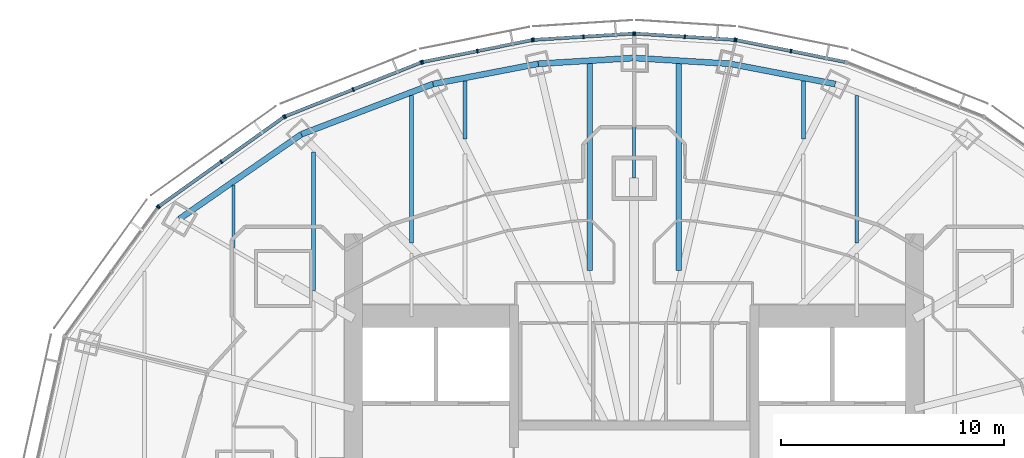
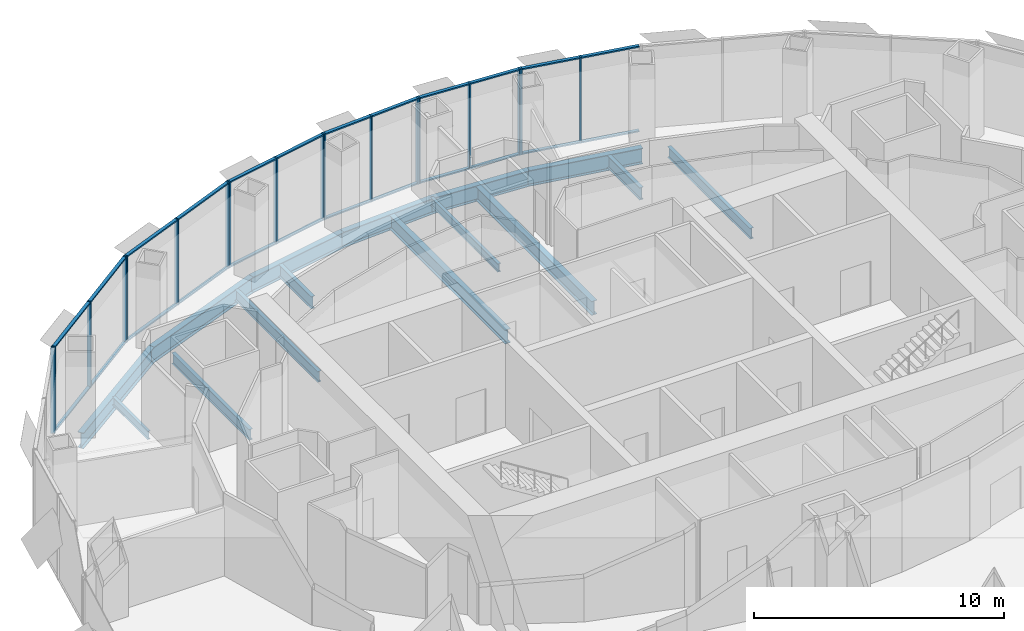
# One storey, part 8 of 18: 42 members, 15 beams, 7 elements without a shape of their own.
"""IFC4 building model written with IfcOpenShell, lengths in metres."""

from ifc_helpers import new_model, si_unit, direction, frame, origin, origin_2d, place, context, subcontext, project, spatial, rectangle, i_section, extrude, material, material_profile, profile_set, type_object, element, aggregate, save


model = new_model("IFC4")

# Units and contexts
model_context = context("Model", 3, precision=1e-05, world=origin(), true_north=direction((0.0, 1.0)))
body_context = subcontext(model_context, "Body", "Model", "MODEL_VIEW")
ifc_project = project(units=[si_unit("LENGTHUNIT", "METRE"), si_unit("AREAUNIT", "SQUARE_METRE"), si_unit("VOLUMEUNIT", "CUBIC_METRE"), si_unit("PLANEANGLEUNIT", "RADIAN"), si_unit("MASSUNIT", "GRAM", prefix="KILO")], contexts=[model_context])

# Site, building, storey
site_placement = place(None, origin())
site = spatial("IfcSite", under=ifc_project, at=site_placement, CompositionType="ELEMENT")
building_placement = place(site_placement, origin())
building = spatial("IfcBuilding", under=site, at=building_placement, Name="Lantaw Convention Tower", CompositionType="ELEMENT")
storey_placement = place(building_placement, frame((0.0, 0.0, 257.800048828125)))
storey = spatial("IfcBuildingStorey", under=building, at=storey_placement, Name="L60", CompositionType="ELEMENT", Elevation=257.800048828125)

# Beams
ifc_material_1 = material(Name="Steel ASTM A992", Category="steel")
ifc_material_profile_1 = material_profile(ifc_material_1, i_section(OverallWidth=0.2666015625, OverallDepth=0.76953125, WebThickness=0.015625, FlangeThickness=0.025390625, FilletRadius=0.0126953125, at=origin_2d()), Name="W30X132")
ifc_profile_set_1 = profile_set([ifc_material_profile_1], Name="Steel ASTM A992")
beam_type_1 = type_object("IfcBeamType", Name="Beam E W30X132", PredefinedType="SPANDREL", material=ifc_profile_set_1)
beam_1_placement = place(storey_placement, frame((9.03466796875, 17.7314453125, -0.534912109375), z_axis=(-0.981972091702, 0.189025953556, 0.0), x_axis=(-0.189025953556, -0.981972091702, 0.0)))
element("IfcBeam", 1, at=beam_1_placement, inside=storey, type_object=beam_type_1, Name="Edge beam 5", PredefinedType="SPANDREL", context=body_context, shape_type="SweptSolid", body=[
    extrude(i_section(OverallWidth=0.2666015625, OverallDepth=0.76953125, WebThickness=0.015625, FlangeThickness=0.025390625, FilletRadius=0.0126953125, at=origin_2d()), origin(), (0.0, 0.0, 1.0), 4.817626953125),
])
for number, where, z_axis, x_axis, name in (
    (2, (4.303955078125, 18.64208984375, -0.534912109375), (-0.998210730897, 0.059794119452, 0.0), (-0.059794119452, -0.998210730897, 0.0), "Edge beam 6"),
    (3, (0.0, 18.89990234375, -0.534912109375), (-0.998210730897, -0.059794119452, 0.0), (0.059794119452, -0.998210730897, 0.0), "Edge beam 7"),
):
    element("IfcBeam", number, at=place(storey_placement, frame(where, z_axis=z_axis, x_axis=x_axis)), inside=storey, type_object=beam_type_1, Name=name, PredefinedType="SPANDREL", context=body_context, shape_type="SweptSolid", body=[
        extrude(i_section(OverallWidth=0.2666015625, OverallDepth=0.76953125, WebThickness=0.015625, FlangeThickness=0.025390625, FilletRadius=0.0126953125, at=origin_2d()), origin(), (0.0, 0.0, 1.0), 4.311767578125),
    ])
beam_2_placement = place(storey_placement, frame((-4.303955078125, 18.64208984375, -0.534912109375), z_axis=(-0.981972091702, -0.189025953556, 0.0), x_axis=(0.189025953556, -0.981972091702, 0.0)))
element("IfcBeam", 4, at=beam_2_placement, inside=storey, type_object=beam_type_1, Name="Edge beam 8", PredefinedType="SPANDREL", context=body_context, shape_type="SweptSolid", body=[
    extrude(i_section(OverallWidth=0.2666015625, OverallDepth=0.76953125, WebThickness=0.015625, FlangeThickness=0.025390625, FilletRadius=0.0126953125, at=origin_2d()), origin(), (0.0, 0.0, 1.0), 4.817626953125),
])
beam_3_placement = place(storey_placement, frame((-9.03466796875, 17.7314453125, -0.534912109375), z_axis=(-0.934234988, -0.356658081637, 0.0), x_axis=(0.356658081637, -0.934234988, 0.0)))
element("IfcBeam", 5, at=beam_3_placement, inside=storey, type_object=beam_type_1, Name="Edge beam 9", PredefinedType="SPANDREL", context=body_context, shape_type="SweptSolid", body=[
    extrude(i_section(OverallWidth=0.2666015625, OverallDepth=0.76953125, WebThickness=0.015625, FlangeThickness=0.025390625, FilletRadius=0.0126953125, at=origin_2d()), origin(), (0.0, 0.0, 1.0), 6.32568359375),
])
beam_4_placement = place(storey_placement, frame((-14.9443359375, 15.475341796875, -0.534912109375), z_axis=(-0.82135329406, -0.570419815869, 0.0), x_axis=(0.570419815869, -0.82135329406, 0.0)))
element("IfcBeam", 6, at=beam_4_placement, inside=storey, type_object=beam_type_1, Name="Edge beam 10", PredefinedType="SPANDREL", context=body_context, shape_type="SweptSolid", body=[
    extrude(i_section(OverallWidth=0.2666015625, OverallDepth=0.76953125, WebThickness=0.015625, FlangeThickness=0.025390625, FilletRadius=0.0126953125, at=origin_2d()), origin(), (0.0, 0.0, 1.0), 6.67041015625),
])
ifc_material_profile_2 = material_profile(ifc_material_1, i_section(OverallWidth=0.140380859375, OverallDepth=0.40380859375, WebThickness=0.007080078125, FlangeThickness=0.01123046875, FilletRadius=0.01025390625, at=origin_2d()), Name="W16X31")
ifc_profile_set_2 = profile_set([ifc_material_profile_2], Name="Steel ASTM A992")
beam_type_2 = type_object("IfcBeamType", Name="Beam G W16X31", PredefinedType="BEAM", material=ifc_profile_set_2)
beam_5_placement = place(storey_placement, frame((0.0, 13.5, -0.35205078125), z_axis=(0.0, 1.0, 0.0), x_axis=(-1.0, 0.0, 0.0)))
element("IfcBeam", 7, at=beam_5_placement, inside=storey, type_object=beam_type_2, Name="Floor girder on ray 7", PredefinedType="BEAM", context=body_context, shape_type="SweptSolid", body=[
    extrude(i_section(OverallWidth=0.140380859375, OverallDepth=0.40380859375, WebThickness=0.007080078125, FlangeThickness=0.01123046875, FilletRadius=0.01025390625, at=origin_2d()), origin(), (0.0, 0.0, 1.0), 5.39990234375),
])
ifc_material_profile_3 = material_profile(ifc_material_1, i_section(OverallWidth=0.140380859375, OverallDepth=0.40380859375, WebThickness=0.007080078125, FlangeThickness=0.01123046875, FilletRadius=0.01025390625, at=origin_2d()), Name="W16X31")
ifc_profile_set_3 = profile_set([ifc_material_profile_3], Name="Steel ASTM A992")
beam_type_3 = type_object("IfcBeamType", Name="Beam J W16X31", PredefinedType="JOIST", material=ifc_profile_set_3)
beam_6_placement = place(storey_placement, frame((-18.0, 10.380859375, -0.35205078125), z_axis=(0.0, 1.0, 0.0), x_axis=(-1.0, 0.0, 0.0)))
element("IfcBeam", 8, at=beam_6_placement, inside=storey, type_object=beam_type_3, Name="Floor joist", PredefinedType="JOIST", context=body_context, shape_type="SweptSolid", body=[
    extrude(i_section(OverallWidth=0.140380859375, OverallDepth=0.40380859375, WebThickness=0.007080078125, FlangeThickness=0.01123046875, FilletRadius=0.01025390625, at=origin_2d()), origin(), (0.0, 0.0, 1.0), 2.81005859375),
])
ifc_material_profile_4 = material_profile(ifc_material_1, i_section(OverallWidth=0.1650390625, OverallDepth=0.52587890625, WebThickness=0.0087890625, FlangeThickness=0.011474609375, FilletRadius=0.0126953125, at=origin_2d()), Name="W21X44")
ifc_profile_set_4 = profile_set([ifc_material_profile_4], Name="Steel ASTM A992")
beam_type_4 = type_object("IfcBeamType", Name="Beam J W21X44", PredefinedType="JOIST", material=ifc_profile_set_4)
beam_7_placement = place(storey_placement, frame((-14.39990234375, 8.461181640625, -0.412841796875), z_axis=(0.0, 1.0, 0.0), x_axis=(-1.0, 0.0, 0.0)))
element("IfcBeam", 9, at=beam_7_placement, inside=storey, type_object=beam_type_4, Name="Floor joist", PredefinedType="JOIST", context=body_context, shape_type="SweptSolid", body=[
    extrude(i_section(OverallWidth=0.1650390625, OverallDepth=0.52587890625, WebThickness=0.0087890625, FlangeThickness=0.011474609375, FilletRadius=0.0126953125, at=origin_2d()), origin(), (0.0, 0.0, 1.0), 6.214599609375),
])
for number, where, z_axis, x_axis, name in (
    (10, (-10.0, 10.591064453125, -0.412841796875), (0.0, 1.0, 0.0), (-1.0, 0.0, 0.0), "Floor joist"),
    (11, (10.0, 10.591064453125, -0.412841796875), (0.0, 1.0, 0.0), (-1.0, 0.0, 0.0), "Floor joist"),
):
    element("IfcBeam", number, at=place(storey_placement, frame(where, z_axis=z_axis, x_axis=x_axis)), inside=storey, type_object=beam_type_4, Name=name, PredefinedType="JOIST", context=body_context, shape_type="SweptSolid", body=[
        extrude(i_section(OverallWidth=0.1650390625, OverallDepth=0.52587890625, WebThickness=0.0087890625, FlangeThickness=0.011474609375, FilletRadius=0.0126953125, at=origin_2d()), origin(), (0.0, 0.0, 1.0), 6.629150390625),
    ])
ifc_material_profile_5 = material_profile(ifc_material_1, i_section(OverallWidth=0.177978515625, OverallDepth=0.599365234375, WebThickness=0.010009765625, FlangeThickness=0.012939453125, FilletRadius=0.012939453125, at=origin_2d()), Name="W24X55")
ifc_profile_set_5 = profile_set([ifc_material_profile_5], Name="Steel ASTM A992")
beam_type_5 = type_object("IfcBeamType", Name="Beam J W24X55", PredefinedType="JOIST", material=ifc_profile_set_5)
for number, where, z_axis, x_axis, name in (
    (12, (-7.60009765625, 15.25439453125, -0.44970703125), (0.0, 1.0, 0.0), (-1.0, 0.0, 0.0), "Floor joist"),
    (13, (7.60009765625, 15.25439453125, -0.44970703125), (0.0, 1.0, 0.0), (-1.0, 0.0, 0.0), "Floor joist"),
):
    element("IfcBeam", number, at=place(storey_placement, frame(where, z_axis=z_axis, x_axis=x_axis)), inside=storey, type_object=beam_type_5, Name=name, PredefinedType="JOIST", context=body_context, shape_type="SweptSolid", body=[
        extrude(i_section(OverallWidth=0.177978515625, OverallDepth=0.599365234375, WebThickness=0.010009765625, FlangeThickness=0.012939453125, FilletRadius=0.012939453125, at=origin_2d()), origin(), (0.0, 0.0, 1.0), 2.617431640625),
    ])
ifc_material_profile_6 = material_profile(ifc_material_1, i_section(OverallWidth=0.25390625, OverallDepth=0.683349609375, WebThickness=0.012451171875, FlangeThickness=0.01904296875, FilletRadius=0.01513671875, at=origin_2d()), Name="W27X94")
ifc_profile_set_6 = profile_set([ifc_material_profile_6], Name="Steel ASTM A992")
beam_type_6 = type_object("IfcBeamType", Name="Beam J W27X94", PredefinedType="JOIST", material=ifc_profile_set_6)
for number, where, z_axis, x_axis, name in (
    (14, (-2.0, 9.34619140625, -0.49169921875), (0.0, 1.0, 0.0), (-1.0, 0.0, 0.0), "Floor joist"),
    (15, (2.0, 9.34619140625, -0.49169921875), (0.0, 1.0, 0.0), (-1.0, 0.0, 0.0), "Floor joist"),
):
    element("IfcBeam", number, at=place(storey_placement, frame(where, z_axis=z_axis, x_axis=x_axis)), inside=storey, type_object=beam_type_6, Name=name, PredefinedType="JOIST", context=body_context, shape_type="SweptSolid", body=[
        extrude(i_section(OverallWidth=0.25390625, OverallDepth=0.683349609375, WebThickness=0.012451171875, FlangeThickness=0.01904296875, FilletRadius=0.01513671875, at=origin_2d()), origin(), (0.0, 0.0, 1.0), 9.30029296875),
    ])

# Curtain wall, members
ifc_material_2 = material(Name="Aluminium framed curtain wall", Category="aluminium")
curtain_wall_type = type_object("IfcCurtainWallType", Name="Office curtain wall high rise, pale aluminium", PredefinedType="USERDEFINED", material=ifc_material_2)
curtain_wall_1_placement = place(storey_placement, origin())
curtain_wall_1 = element("IfcCurtainWall", 16, at=curtain_wall_1_placement, inside=storey, type_object=curtain_wall_type, Name="Office curtain wall high rise, pale aluminium L60", ObjectType="UNITISED CURTAIN WALL", PredefinedType="USERDEFINED")
ifc_material_3 = material(Name="Aluminium 6063-T6", Category="aluminium")
ifc_material_profile_7 = material_profile(ifc_material_3, rectangle(XDim=0.179931640625, YDim=0.06494140625, at=origin_2d()), Name="CW-O2 mullion 65x180")
ifc_profile_set_7 = profile_set([ifc_material_profile_7], Name="Aluminium 6063-T6")
member_type_1 = type_object("IfcMemberType", Name="CW-O2 mullion 65x180", PredefinedType="MULLION", material=ifc_profile_set_7)
member_1_placement = place(storey_placement, frame((7.042724609375, 19.212646484375, -0.150146484375), z_axis=(0.0, 0.0, 1.0), x_axis=(-0.197183095987, -0.980366679695, 0.0)))
member_1 = element("IfcMember", 17, at=member_1_placement, type_object=member_type_1, Name="CW-O2 mullion 2", PredefinedType="MULLION", context=body_context, shape_type="SweptSolid", body=[
    extrude(rectangle(XDim=0.179931640625, YDim=0.06494140625, at=origin_2d()), origin(), (0.0, 0.0, 1.0), 4.2001953125),
])
member_2_placement = place(storey_placement, frame((4.583251953125, 19.70751953125, -0.150146484375), z_axis=(0.0, 0.0, 1.0), x_axis=(-0.197183095987, -0.980366679695, 0.0)))
member_2 = element("IfcMember", 18, at=member_2_placement, type_object=member_type_1, Name="CW-O2 mullion 3", PredefinedType="MULLION", context=body_context, shape_type="SweptSolid", body=[
    extrude(rectangle(XDim=0.179931640625, YDim=0.06494140625, at=origin_2d()), origin(), (0.0, 0.0, 1.0), 4.2001953125),
])

curtain_wall_2_placement = place(storey_placement, origin())
curtain_wall_2 = element("IfcCurtainWall", 19, at=curtain_wall_2_placement, inside=storey, type_object=curtain_wall_type, Name="Office curtain wall high rise, pale aluminium L60", ObjectType="UNITISED CURTAIN WALL", PredefinedType="USERDEFINED")
member_3_placement = place(storey_placement, frame((4.518798828125, 19.7158203125, -0.150146484375), z_axis=(0.0, 0.0, 1.0), x_axis=(-0.062757983884, -0.998028774865, 0.0)))
member_3 = element("IfcMember", 20, at=member_3_placement, type_object=member_type_1, Name="CW-O2 mullion 1", PredefinedType="MULLION", context=body_context, shape_type="SweptSolid", body=[
    extrude(rectangle(XDim=0.179931640625, YDim=0.06494140625, at=origin_2d()), origin(), (0.0, 0.0, 1.0), 4.2001953125),
])
member_4_placement = place(storey_placement, frame((2.275634765625, 19.85693359375, -0.150146484375), z_axis=(0.0, 0.0, 1.0), x_axis=(-0.062757983884, -0.998028774865, 0.0)))
member_4 = element("IfcMember", 21, at=member_4_placement, type_object=member_type_1, Name="CW-O2 mullion 2", PredefinedType="MULLION", context=body_context, shape_type="SweptSolid", body=[
    extrude(rectangle(XDim=0.179931640625, YDim=0.06494140625, at=origin_2d()), origin(), (0.0, 0.0, 1.0), 4.2001953125),
])
member_5_placement = place(storey_placement, frame((0.032470703125, 19.998046875, -0.150146484375), z_axis=(0.0, 0.0, 1.0), x_axis=(-0.062757983884, -0.998028774865, 0.0)))
member_5 = element("IfcMember", 22, at=member_5_placement, type_object=member_type_1, Name="CW-O2 mullion 3", PredefinedType="MULLION", context=body_context, shape_type="SweptSolid", body=[
    extrude(rectangle(XDim=0.179931640625, YDim=0.06494140625, at=origin_2d()), origin(), (0.0, 0.0, 1.0), 4.2001953125),
])

curtain_wall_3_placement = place(storey_placement, origin())
curtain_wall_3 = element("IfcCurtainWall", 23, at=curtain_wall_3_placement, inside=storey, type_object=curtain_wall_type, Name="Office curtain wall high rise, pale aluminium L60", ObjectType="UNITISED CURTAIN WALL", PredefinedType="USERDEFINED")
member_6_placement = place(storey_placement, frame((-0.032470703125, 19.998046875, -0.150146484375), z_axis=(0.0, 0.0, 1.0), x_axis=(0.062757983884, -0.998028774865, 0.0)))
member_6 = element("IfcMember", 24, at=member_6_placement, type_object=member_type_1, Name="CW-O2 mullion 1", PredefinedType="MULLION", context=body_context, shape_type="SweptSolid", body=[
    extrude(rectangle(XDim=0.179931640625, YDim=0.06494140625, at=origin_2d()), origin(), (0.0, 0.0, 1.0), 4.2001953125),
])
member_7_placement = place(storey_placement, frame((-2.275634765625, 19.85693359375, -0.150146484375), z_axis=(0.0, 0.0, 1.0), x_axis=(0.062757983884, -0.998028774865, 0.0)))
member_7 = element("IfcMember", 25, at=member_7_placement, type_object=member_type_1, Name="CW-O2 mullion 2", PredefinedType="MULLION", context=body_context, shape_type="SweptSolid", body=[
    extrude(rectangle(XDim=0.179931640625, YDim=0.06494140625, at=origin_2d()), origin(), (0.0, 0.0, 1.0), 4.2001953125),
])
member_8_placement = place(storey_placement, frame((-4.518798828125, 19.7158203125, -0.150146484375), z_axis=(0.0, 0.0, 1.0), x_axis=(0.062757983884, -0.998028774865, 0.0)))
member_8 = element("IfcMember", 26, at=member_8_placement, type_object=member_type_1, Name="CW-O2 mullion 3", PredefinedType="MULLION", context=body_context, shape_type="SweptSolid", body=[
    extrude(rectangle(XDim=0.179931640625, YDim=0.06494140625, at=origin_2d()), origin(), (0.0, 0.0, 1.0), 4.2001953125),
])

curtain_wall_4_placement = place(storey_placement, origin())
curtain_wall_4 = element("IfcCurtainWall", 27, at=curtain_wall_4_placement, inside=storey, type_object=curtain_wall_type, Name="Office curtain wall high rise, pale aluminium L60", ObjectType="UNITISED CURTAIN WALL", PredefinedType="USERDEFINED")
member_9_placement = place(storey_placement, frame((-4.583251953125, 19.70751953125, -0.150146484375), z_axis=(0.0, 0.0, 1.0), x_axis=(0.197183095987, -0.980366679695, 0.0)))
member_9 = element("IfcMember", 28, at=member_9_placement, type_object=member_type_1, Name="CW-O2 mullion 1", PredefinedType="MULLION", context=body_context, shape_type="SweptSolid", body=[
    extrude(rectangle(XDim=0.179931640625, YDim=0.06494140625, at=origin_2d()), origin(), (0.0, 0.0, 1.0), 4.2001953125),
])
member_10_placement = place(storey_placement, frame((-7.042724609375, 19.212646484375, -0.150146484375), z_axis=(0.0, 0.0, 1.0), x_axis=(0.197183095987, -0.980366679695, 0.0)))
member_10 = element("IfcMember", 29, at=member_10_placement, type_object=member_type_1, Name="CW-O2 mullion 2", PredefinedType="MULLION", context=body_context, shape_type="SweptSolid", body=[
    extrude(rectangle(XDim=0.179931640625, YDim=0.06494140625, at=origin_2d()), origin(), (0.0, 0.0, 1.0), 4.2001953125),
])
member_11_placement = place(storey_placement, frame((-9.502197265625, 18.718017578125, -0.150146484375), z_axis=(0.0, 0.0, 1.0), x_axis=(0.197183095987, -0.980366679695, 0.0)))
member_11 = element("IfcMember", 30, at=member_11_placement, type_object=member_type_1, Name="CW-O2 mullion 3", PredefinedType="MULLION", context=body_context, shape_type="SweptSolid", body=[
    extrude(rectangle(XDim=0.179931640625, YDim=0.06494140625, at=origin_2d()), origin(), (0.0, 0.0, 1.0), 4.2001953125),
])

curtain_wall_5_placement = place(storey_placement, origin())
curtain_wall_5 = element("IfcCurtainWall", 31, at=curtain_wall_5_placement, inside=storey, type_object=curtain_wall_type, Name="Office curtain wall high rise, pale aluminium L60", ObjectType="UNITISED CURTAIN WALL", PredefinedType="USERDEFINED")
member_12_placement = place(storey_placement, frame((-9.564208984375, 18.69970703125, -0.150146484375), z_axis=(0.0, 0.0, 1.0), x_axis=(0.368162315252, -0.929761533743, 0.0)))
member_12 = element("IfcMember", 32, at=member_12_placement, type_object=member_type_1, Name="CW-O2 mullion 1", PredefinedType="MULLION", context=body_context, shape_type="SweptSolid", body=[
    extrude(rectangle(XDim=0.179931640625, YDim=0.06494140625, at=origin_2d()), origin(), (0.0, 0.0, 1.0), 4.2001953125),
])
member_13_placement = place(storey_placement, frame((-12.621337890625, 17.4892578125, -0.150146484375), z_axis=(0.0, 0.0, 1.0), x_axis=(0.368162315252, -0.929761533743, 0.0)))
member_13 = element("IfcMember", 33, at=member_13_placement, type_object=member_type_1, Name="CW-O2 mullion 2", PredefinedType="MULLION", context=body_context, shape_type="SweptSolid", body=[
    extrude(rectangle(XDim=0.179931640625, YDim=0.06494140625, at=origin_2d()), origin(), (0.0, 0.0, 1.0), 4.2001953125),
])
member_14_placement = place(storey_placement, frame((-15.67822265625, 16.278564453125, -0.150146484375), z_axis=(0.0, 0.0, 1.0), x_axis=(0.368162315252, -0.929761533743, 0.0)))
member_14 = element("IfcMember", 34, at=member_14_placement, type_object=member_type_1, Name="CW-O2 mullion 3", PredefinedType="MULLION", context=body_context, shape_type="SweptSolid", body=[
    extrude(rectangle(XDim=0.179931640625, YDim=0.06494140625, at=origin_2d()), origin(), (0.0, 0.0, 1.0), 4.2001953125),
])

curtain_wall_6_placement = place(storey_placement, origin())
curtain_wall_6 = element("IfcCurtainWall", 35, at=curtain_wall_6_placement, inside=storey, type_object=curtain_wall_type, Name="Office curtain wall high rise, pale aluminium L60", ObjectType="UNITISED CURTAIN WALL", PredefinedType="USERDEFINED")
member_15_placement = place(storey_placement, frame((-15.73486328125, 16.247802734375, -0.150146484375), z_axis=(0.0, 0.0, 1.0), x_axis=(0.581323487281, -0.813672540482, 0.0)))
member_15 = element("IfcMember", 36, at=member_15_placement, type_object=member_type_1, Name="CW-O2 mullion 1", PredefinedType="MULLION", context=body_context, shape_type="SweptSolid", body=[
    extrude(rectangle(XDim=0.179931640625, YDim=0.06494140625, at=origin_2d()), origin(), (0.0, 0.0, 1.0), 4.2001953125),
])
member_16_placement = place(storey_placement, frame((-18.543212890625, 14.241455078125, -0.150146484375), z_axis=(0.0, 0.0, 1.0), x_axis=(0.581323487281, -0.813672540482, 0.0)))
member_16 = element("IfcMember", 37, at=member_16_placement, type_object=member_type_1, Name="CW-O2 mullion 2", PredefinedType="MULLION", context=body_context, shape_type="SweptSolid", body=[
    extrude(rectangle(XDim=0.179931640625, YDim=0.06494140625, at=origin_2d()), origin(), (0.0, 0.0, 1.0), 4.2001953125),
])
member_17_placement = place(storey_placement, frame((-21.3515625, 12.23486328125, -0.150146484375), z_axis=(0.0, 0.0, 1.0), x_axis=(0.581323487281, -0.813672540482, 0.0)))
member_17 = element("IfcMember", 38, at=member_17_placement, type_object=member_type_1, Name="CW-O2 mullion 3", PredefinedType="MULLION", context=body_context, shape_type="SweptSolid", body=[
    extrude(rectangle(XDim=0.179931640625, YDim=0.06494140625, at=origin_2d()), origin(), (0.0, 0.0, 1.0), 4.2001953125),
])

# Curtain wall, member
curtain_wall_7_placement = place(storey_placement, origin())
curtain_wall_7 = element("IfcCurtainWall", 39, at=curtain_wall_7_placement, inside=storey, type_object=curtain_wall_type, Name="Office curtain wall high rise, pale aluminium L60", ObjectType="UNITISED CURTAIN WALL", PredefinedType="USERDEFINED")
member_18_placement = place(storey_placement, frame((-21.397216796875, 12.189697265625, -0.150146484375), z_axis=(0.0, 0.0, 1.0), x_axis=(0.810919559405, -0.585157643865, 0.0)))
member_18 = element("IfcMember", 40, at=member_18_placement, type_object=member_type_1, Name="CW-O2 mullion 1", PredefinedType="MULLION", context=body_context, shape_type="SweptSolid", body=[
    extrude(rectangle(XDim=0.179931640625, YDim=0.06494140625, at=origin_2d()), origin(), (0.0, 0.0, 1.0), 4.2001953125),
])
aggregate(curtain_wall_7, [member_18])

# Member
ifc_material_profile_8 = material_profile(ifc_material_3, rectangle(XDim=0.14990234375, YDim=0.06494140625, at=origin_2d()), Name="CW-O2 transom 65x150")
ifc_profile_set_8 = profile_set([ifc_material_profile_8], Name="Aluminium 6063-T6")
member_type_2 = type_object("IfcMemberType", Name="CW-O2 transom 65x150", PredefinedType="USERDEFINED", material=ifc_profile_set_8)
member_19_placement = place(storey_placement, frame((9.47021484375, 18.724365234375, -0.117431640625), z_axis=(-0.98036104319, 0.197211117829, 0.0), x_axis=(-0.197211117829, -0.98036104319, 0.0)))
member_19 = element("IfcMember", 41, at=member_19_placement, type_object=member_type_2, Name="CW-O2 transom 1.1", ObjectType="TRANSOM", PredefinedType="USERDEFINED", context=body_context, shape_type="SweptSolid", body=[
    extrude(rectangle(XDim=0.14990234375, YDim=0.06494140625, at=origin_2d()), origin(), (0.0, 0.0, 1.0), 2.44384765625),
])

member_20_placement = place(storey_placement, frame((9.47021484375, 18.724365234375, 4.017333984375), z_axis=(-0.98036104319, 0.197211117829, 0.0), x_axis=(-0.197211117829, -0.98036104319, 0.0)))
member_20 = element("IfcMember", 42, at=member_20_placement, type_object=member_type_2, Name="CW-O2 transom 1.2", ObjectType="TRANSOM", PredefinedType="USERDEFINED", context=body_context, shape_type="SweptSolid", body=[
    extrude(rectangle(XDim=0.14990234375, YDim=0.06494140625, at=origin_2d()), origin(), (0.0, 0.0, 1.0), 2.44384765625),
])

member_21_placement = place(storey_placement, frame((7.0107421875, 19.21923828125, -0.117431640625), z_axis=(-0.980380354178, 0.197115096178, 0.0), x_axis=(-0.197115096178, -0.980380354178, 0.0)))
member_21 = element("IfcMember", 43, at=member_21_placement, type_object=member_type_2, Name="CW-O2 transom 2.1", ObjectType="TRANSOM", PredefinedType="USERDEFINED", context=body_context, shape_type="SweptSolid", body=[
    extrude(rectangle(XDim=0.14990234375, YDim=0.06494140625, at=origin_2d()), origin(), (0.0, 0.0, 1.0), 2.443603515625),
])

member_22_placement = place(storey_placement, frame((7.0107421875, 19.21923828125, 4.017333984375), z_axis=(-0.980380354178, 0.197115096178, 0.0), x_axis=(-0.197115096178, -0.980380354178, 0.0)))
member_22 = element("IfcMember", 44, at=member_22_placement, type_object=member_type_2, Name="CW-O2 transom 2.2", ObjectType="TRANSOM", PredefinedType="USERDEFINED", context=body_context, shape_type="SweptSolid", body=[
    extrude(rectangle(XDim=0.14990234375, YDim=0.06494140625, at=origin_2d()), origin(), (0.0, 0.0, 1.0), 2.443603515625),
])

aggregate(curtain_wall_1, [member_1, member_2, member_19, member_20, member_21, member_22])

member_23_placement = place(storey_placement, frame((4.486328125, 19.7177734375, -0.117431640625), z_axis=(-0.998021991509, 0.062865765437, 0.0), x_axis=(-0.062865765437, -0.998021991509, 0.0)))
member_23 = element("IfcMember", 45, at=member_23_placement, type_object=member_type_2, Name="CW-O2 transom 1.1", ObjectType="TRANSOM", PredefinedType="USERDEFINED", context=body_context, shape_type="SweptSolid", body=[
    extrude(rectangle(XDim=0.14990234375, YDim=0.06494140625, at=origin_2d()), origin(), (0.0, 0.0, 1.0), 2.1826171875),
])

member_24_placement = place(storey_placement, frame((4.486328125, 19.7177734375, 4.017333984375), z_axis=(-0.998021991509, 0.062865765437, 0.0), x_axis=(-0.062865765437, -0.998021991509, 0.0)))
member_24 = element("IfcMember", 46, at=member_24_placement, type_object=member_type_2, Name="CW-O2 transom 1.2", ObjectType="TRANSOM", PredefinedType="USERDEFINED", context=body_context, shape_type="SweptSolid", body=[
    extrude(rectangle(XDim=0.14990234375, YDim=0.06494140625, at=origin_2d()), origin(), (0.0, 0.0, 1.0), 2.1826171875),
])

member_25_placement = place(storey_placement, frame((2.2431640625, 19.85888671875, -0.117431640625), z_axis=(-0.998029003644, 0.062754345555, 0.0), x_axis=(-0.062754345555, -0.998029003644, 0.0)))
member_25 = element("IfcMember", 47, at=member_25_placement, type_object=member_type_2, Name="CW-O2 transom 2.1", ObjectType="TRANSOM", PredefinedType="USERDEFINED", context=body_context, shape_type="SweptSolid", body=[
    extrude(rectangle(XDim=0.14990234375, YDim=0.06494140625, at=origin_2d()), origin(), (0.0, 0.0, 1.0), 2.1826171875),
])

member_26_placement = place(storey_placement, frame((2.2431640625, 19.85888671875, 4.017333984375), z_axis=(-0.998029003644, 0.062754345555, 0.0), x_axis=(-0.062754345555, -0.998029003644, 0.0)))
member_26 = element("IfcMember", 48, at=member_26_placement, type_object=member_type_2, Name="CW-O2 transom 2.2", ObjectType="TRANSOM", PredefinedType="USERDEFINED", context=body_context, shape_type="SweptSolid", body=[
    extrude(rectangle(XDim=0.14990234375, YDim=0.06494140625, at=origin_2d()), origin(), (0.0, 0.0, 1.0), 2.1826171875),
])

aggregate(curtain_wall_2, [member_3, member_4, member_5, member_23, member_24, member_25, member_26])

member_27_placement = place(storey_placement, frame((-0.06494140625, 19.995849609375, -0.117431640625), z_axis=(-0.998029003644, -0.062754345555, 0.0), x_axis=(0.062754345555, -0.998029003644, 0.0)))
member_27 = element("IfcMember", 49, at=member_27_placement, type_object=member_type_2, Name="CW-O2 transom 1.1", ObjectType="TRANSOM", PredefinedType="USERDEFINED", context=body_context, shape_type="SweptSolid", body=[
    extrude(rectangle(XDim=0.14990234375, YDim=0.06494140625, at=origin_2d()), origin(), (0.0, 0.0, 1.0), 2.1826171875),
])

member_28_placement = place(storey_placement, frame((-0.06494140625, 19.995849609375, 4.017333984375), z_axis=(-0.998029003644, -0.062754345555, 0.0), x_axis=(0.062754345555, -0.998029003644, 0.0)))
member_28 = element("IfcMember", 50, at=member_28_placement, type_object=member_type_2, Name="CW-O2 transom 1.2", ObjectType="TRANSOM", PredefinedType="USERDEFINED", context=body_context, shape_type="SweptSolid", body=[
    extrude(rectangle(XDim=0.14990234375, YDim=0.06494140625, at=origin_2d()), origin(), (0.0, 0.0, 1.0), 2.1826171875),
])

member_29_placement = place(storey_placement, frame((-2.30810546875, 19.85498046875, -0.117431640625), z_axis=(-0.998021991509, -0.062865765437, 0.0), x_axis=(0.062865765437, -0.998021991509, 0.0)))
member_29 = element("IfcMember", 51, at=member_29_placement, type_object=member_type_2, Name="CW-O2 transom 2.1", ObjectType="TRANSOM", PredefinedType="USERDEFINED", context=body_context, shape_type="SweptSolid", body=[
    extrude(rectangle(XDim=0.14990234375, YDim=0.06494140625, at=origin_2d()), origin(), (0.0, 0.0, 1.0), 2.1826171875),
])

member_30_placement = place(storey_placement, frame((-2.30810546875, 19.85498046875, 4.017333984375), z_axis=(-0.998021991509, -0.062865765437, 0.0), x_axis=(0.062865765437, -0.998021991509, 0.0)))
member_30 = element("IfcMember", 52, at=member_30_placement, type_object=member_type_2, Name="CW-O2 transom 2.2", ObjectType="TRANSOM", PredefinedType="USERDEFINED", context=body_context, shape_type="SweptSolid", body=[
    extrude(rectangle(XDim=0.14990234375, YDim=0.06494140625, at=origin_2d()), origin(), (0.0, 0.0, 1.0), 2.1826171875),
])

aggregate(curtain_wall_3, [member_6, member_7, member_8, member_27, member_28, member_29, member_30])

member_31_placement = place(storey_placement, frame((-4.614990234375, 19.700927734375, -0.117431640625), z_axis=(-0.980380354178, -0.197115096178, 0.0), x_axis=(0.197115096178, -0.980380354178, 0.0)))
member_31 = element("IfcMember", 53, at=member_31_placement, type_object=member_type_2, Name="CW-O2 transom 1.1", ObjectType="TRANSOM", PredefinedType="USERDEFINED", context=body_context, shape_type="SweptSolid", body=[
    extrude(rectangle(XDim=0.14990234375, YDim=0.06494140625, at=origin_2d()), origin(), (0.0, 0.0, 1.0), 2.443603515625),
])

member_32_placement = place(storey_placement, frame((-4.614990234375, 19.700927734375, 4.017333984375), z_axis=(-0.980380354178, -0.197115096178, 0.0), x_axis=(0.197115096178, -0.980380354178, 0.0)))
member_32 = element("IfcMember", 54, at=member_32_placement, type_object=member_type_2, Name="CW-O2 transom 1.2", ObjectType="TRANSOM", PredefinedType="USERDEFINED", context=body_context, shape_type="SweptSolid", body=[
    extrude(rectangle(XDim=0.14990234375, YDim=0.06494140625, at=origin_2d()), origin(), (0.0, 0.0, 1.0), 2.443603515625),
])

member_33_placement = place(storey_placement, frame((-7.074462890625, 19.206298828125, -0.117431640625), z_axis=(-0.98036104319, -0.197211117829, 0.0), x_axis=(0.197211117829, -0.98036104319, 0.0)))
member_33 = element("IfcMember", 55, at=member_33_placement, type_object=member_type_2, Name="CW-O2 transom 2.1", ObjectType="TRANSOM", PredefinedType="USERDEFINED", context=body_context, shape_type="SweptSolid", body=[
    extrude(rectangle(XDim=0.14990234375, YDim=0.06494140625, at=origin_2d()), origin(), (0.0, 0.0, 1.0), 2.44384765625),
])

member_34_placement = place(storey_placement, frame((-7.074462890625, 19.206298828125, 4.017333984375), z_axis=(-0.98036104319, -0.197211117829, 0.0), x_axis=(0.197211117829, -0.98036104319, 0.0)))
member_34 = element("IfcMember", 56, at=member_34_placement, type_object=member_type_2, Name="CW-O2 transom 2.2", ObjectType="TRANSOM", PredefinedType="USERDEFINED", context=body_context, shape_type="SweptSolid", body=[
    extrude(rectangle(XDim=0.14990234375, YDim=0.06494140625, at=origin_2d()), origin(), (0.0, 0.0, 1.0), 2.44384765625),
])

aggregate(curtain_wall_4, [member_9, member_10, member_11, member_31, member_32, member_33, member_34])

member_35_placement = place(storey_placement, frame((-9.594482421875, 18.687744140625, -0.117431640625), z_axis=(-0.929766642946, -0.368149412149, 0.0), x_axis=(0.368149412149, -0.929766642946, 0.0)))
member_35 = element("IfcMember", 57, at=member_35_placement, type_object=member_type_2, Name="CW-O2 transom 1.1", ObjectType="TRANSOM", PredefinedType="USERDEFINED", context=body_context, shape_type="SweptSolid", body=[
    extrude(rectangle(XDim=0.14990234375, YDim=0.06494140625, at=origin_2d()), origin(), (0.0, 0.0, 1.0), 3.222900390625),
])

member_36_placement = place(storey_placement, frame((-9.594482421875, 18.687744140625, 4.017333984375), z_axis=(-0.929766642946, -0.368149412149, 0.0), x_axis=(0.368149412149, -0.929766642946, 0.0)))
member_36 = element("IfcMember", 58, at=member_36_placement, type_object=member_type_2, Name="CW-O2 transom 1.2", ObjectType="TRANSOM", PredefinedType="USERDEFINED", context=body_context, shape_type="SweptSolid", body=[
    extrude(rectangle(XDim=0.14990234375, YDim=0.06494140625, at=origin_2d()), origin(), (0.0, 0.0, 1.0), 3.222900390625),
])

member_37_placement = place(storey_placement, frame((-12.651611328125, 17.477294921875, -0.117431640625), z_axis=(-0.929740712354, -0.368214893495, 0.0), x_axis=(0.368214893495, -0.929740712354, 0.0)))
member_37 = element("IfcMember", 59, at=member_37_placement, type_object=member_type_2, Name="CW-O2 transom 2.1", ObjectType="TRANSOM", PredefinedType="USERDEFINED", context=body_context, shape_type="SweptSolid", body=[
    extrude(rectangle(XDim=0.14990234375, YDim=0.06494140625, at=origin_2d()), origin(), (0.0, 0.0, 1.0), 3.22314453125),
])

member_38_placement = place(storey_placement, frame((-12.651611328125, 17.477294921875, 4.017333984375), z_axis=(-0.929740712354, -0.368214893495, 0.0), x_axis=(0.368214893495, -0.929740712354, 0.0)))
member_38 = element("IfcMember", 60, at=member_38_placement, type_object=member_type_2, Name="CW-O2 transom 2.2", ObjectType="TRANSOM", PredefinedType="USERDEFINED", context=body_context, shape_type="SweptSolid", body=[
    extrude(rectangle(XDim=0.14990234375, YDim=0.06494140625, at=origin_2d()), origin(), (0.0, 0.0, 1.0), 3.22314453125),
])

aggregate(curtain_wall_5, [member_12, member_13, member_14, member_35, member_36, member_37, member_38])

member_39_placement = place(storey_placement, frame((-15.761474609375, 16.22900390625, -0.117431640625), z_axis=(-0.813645780821, -0.581360940683, 0.0), x_axis=(0.581360940683, -0.813645780821, 0.0)))
member_39 = element("IfcMember", 61, at=member_39_placement, type_object=member_type_2, Name="CW-O2 transom 1.1", ObjectType="TRANSOM", PredefinedType="USERDEFINED", context=body_context, shape_type="SweptSolid", body=[
    extrude(rectangle(XDim=0.14990234375, YDim=0.06494140625, at=origin_2d()), origin(), (0.0, 0.0, 1.0), 3.386474609375),
])

member_40_placement = place(storey_placement, frame((-15.761474609375, 16.22900390625, 4.017333984375), z_axis=(-0.813645780821, -0.581360940683, 0.0), x_axis=(0.581360940683, -0.813645780821, 0.0)))
member_40 = element("IfcMember", 62, at=member_40_placement, type_object=member_type_2, Name="CW-O2 transom 1.2", ObjectType="TRANSOM", PredefinedType="USERDEFINED", context=body_context, shape_type="SweptSolid", body=[
    extrude(rectangle(XDim=0.14990234375, YDim=0.06494140625, at=origin_2d()), origin(), (0.0, 0.0, 1.0), 3.386474609375),
])

member_41_placement = place(storey_placement, frame((-18.56982421875, 14.222412109375, -0.117431640625), z_axis=(-0.813679882592, -0.581313210468, 0.0), x_axis=(0.581313210468, -0.813679882592, 0.0)))
member_41 = element("IfcMember", 63, at=member_41_placement, type_object=member_type_2, Name="CW-O2 transom 2.1", ObjectType="TRANSOM", PredefinedType="USERDEFINED", context=body_context, shape_type="SweptSolid", body=[
    extrude(rectangle(XDim=0.14990234375, YDim=0.06494140625, at=origin_2d()), origin(), (0.0, 0.0, 1.0), 3.38623046875),
])

member_42_placement = place(storey_placement, frame((-18.56982421875, 14.222412109375, 4.017333984375), z_axis=(-0.813679882592, -0.581313210468, 0.0), x_axis=(0.581313210468, -0.813679882592, 0.0)))
member_42 = element("IfcMember", 64, at=member_42_placement, type_object=member_type_2, Name="CW-O2 transom 2.2", ObjectType="TRANSOM", PredefinedType="USERDEFINED", context=body_context, shape_type="SweptSolid", body=[
    extrude(rectangle(XDim=0.14990234375, YDim=0.06494140625, at=origin_2d()), origin(), (0.0, 0.0, 1.0), 3.38623046875),
])

aggregate(curtain_wall_6, [member_15, member_16, member_17, member_39, member_40, member_41, member_42])

save(model, "model.ifc")
